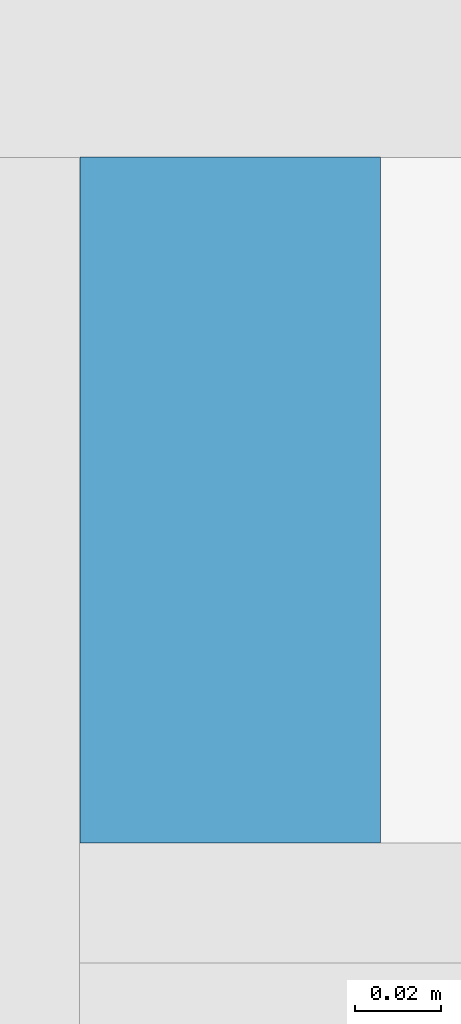
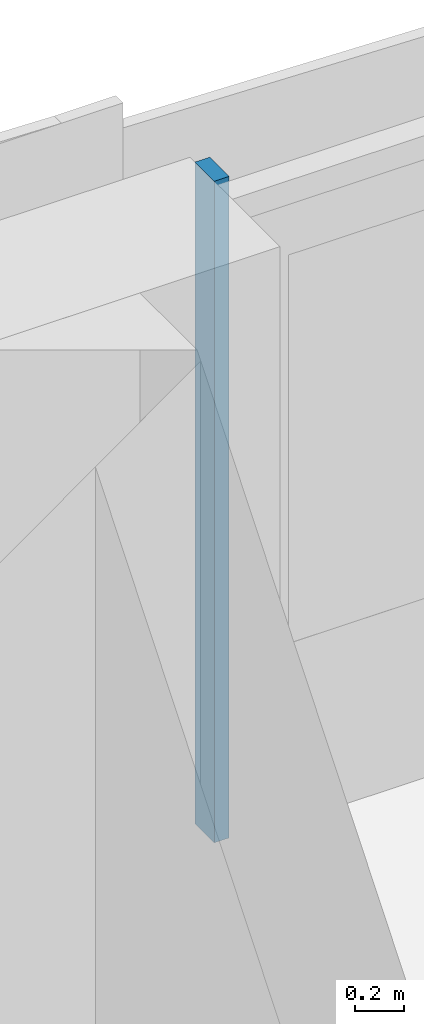
# One storey, part 11 of 29: 1 member, 1 element without a shape of its own.
"""IFC4 building model written with IfcOpenShell, lengths in metres."""

from ifc_helpers import new_model, si_unit, direction, frame, origin, origin_2d, place, context, subcontext, project, spatial, rectangle, extrude, material, material_profile, profile_set, type_object, element, aggregate, save


model = new_model("IFC4")

# Units and contexts
model_context = context("Model", 3, precision=1e-05, world=origin(), true_north=direction((0.0, 1.0)))
body_context = subcontext(model_context, "Body", "Model", "MODEL_VIEW")
ifc_project = project(units=[si_unit("LENGTHUNIT", "METRE"), si_unit("AREAUNIT", "SQUARE_METRE"), si_unit("VOLUMEUNIT", "CUBIC_METRE"), si_unit("PLANEANGLEUNIT", "RADIAN"), si_unit("MASSUNIT", "GRAM", prefix="KILO")], contexts=[model_context])

# Site, building, storey
site_placement = place(None, origin())
site = spatial("IfcSite", under=ifc_project, at=site_placement, CompositionType="ELEMENT")
building_placement = place(site_placement, origin())
building = spatial("IfcBuilding", under=site, at=building_placement, Name="Saffron Gate Tower", CompositionType="ELEMENT")
storey_placement = place(building_placement, frame((0.0, 0.0, 270.75)))
storey = spatial("IfcBuildingStorey", under=building, at=storey_placement, Name="L65", CompositionType="ELEMENT", Elevation=270.75)

# Curtain wall, member
ifc_material = material(Name="Aluminium, bronze anodised", Category="aluminium")
curtain_wall_type = type_object("IfcCurtainWallType", Name="CWS3 curtain wall rear facade", PredefinedType="NOTDEFINED", material=ifc_material)
curtain_wall_placement = place(storey_placement, origin())
curtain_wall = element("IfcCurtainWall", 1, at=curtain_wall_placement, inside=storey, type_object=curtain_wall_type, Name="CWS3 run 7", PredefinedType="NOTDEFINED")
ifc_material_profile = material_profile(ifc_material, rectangle(XDim=0.159912109375, YDim=0.070068359375, at=origin_2d()))
ifc_profile_set = profile_set([ifc_material_profile], Name="Aluminium, bronze anodised")
member_type = type_object("IfcMemberType", Name="CWS3 mullion 70x160", PredefinedType="MULLION", material=ifc_profile_set)
member_placement = place(storey_placement, frame((108.60009765625, 75.52001953125, 0.0), z_axis=(0.0, 0.0, 1.0), x_axis=(0.0, -1.0, 0.0)))
member = element("IfcMember", 2, at=member_placement, type_object=member_type, Name="CWS3 mullion 2", PredefinedType="MULLION", context=body_context, shape_type="SweptSolid", body=[
    extrude(rectangle(XDim=0.159912109375, YDim=0.070068359375, at=origin_2d()), origin(), (0.0, 0.0, 1.0), 3.320068359375),
])
aggregate(curtain_wall, [member])

save(model, "model.ifc")
